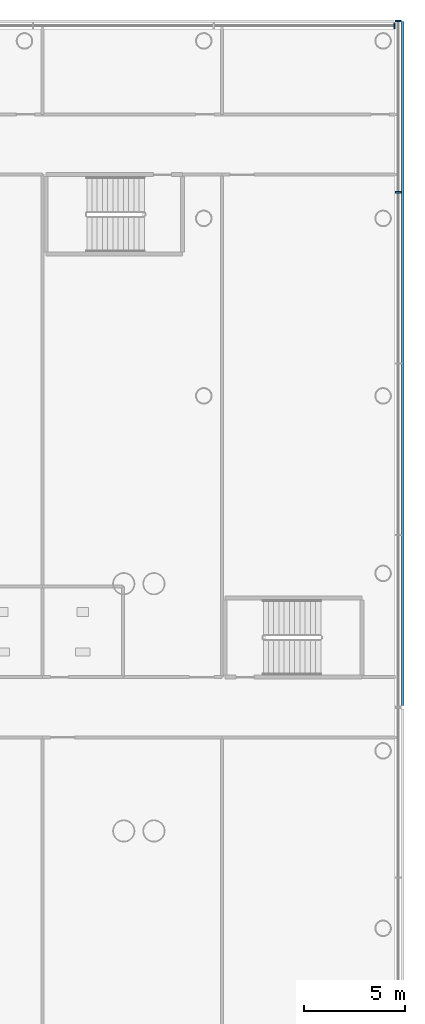
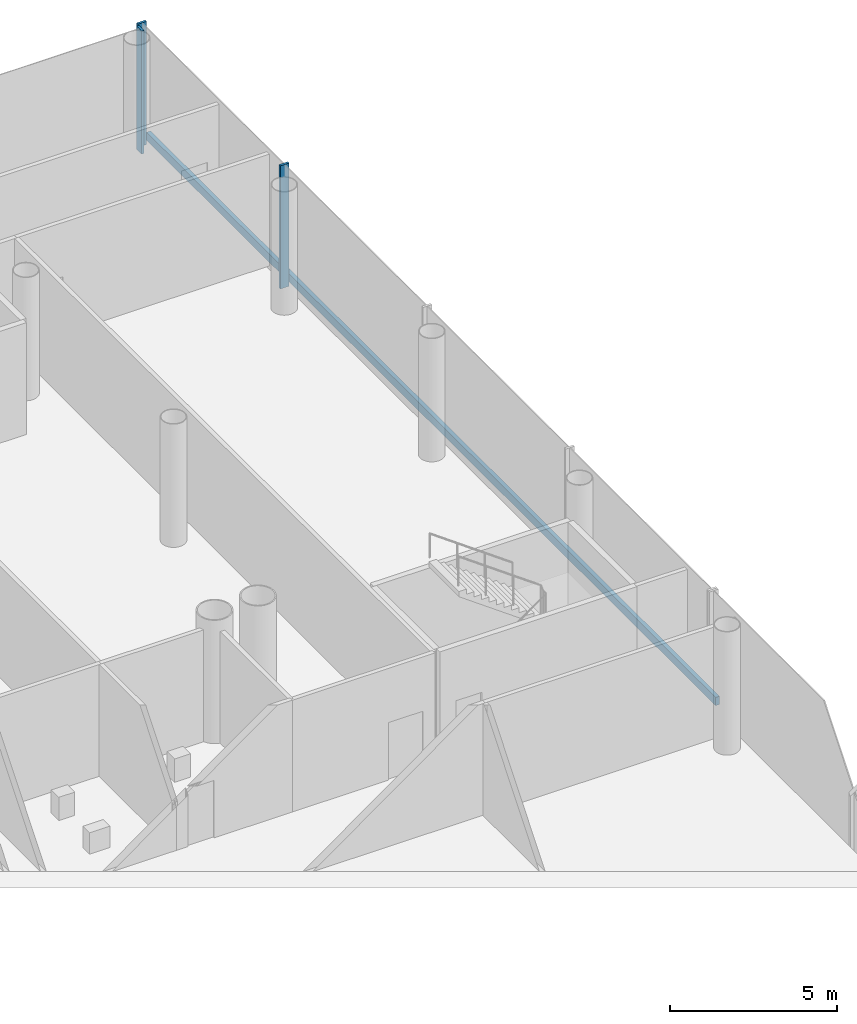
# One storey, part 14 of 51: 4 members, 2 elements without a shape of their own.
"""IFC4 building model written with IfcOpenShell, lengths in metres."""

from ifc_helpers import new_model, si_unit, direction, frame, origin, origin_2d, place, context, subcontext, project, spatial, rectangle, extrude, material, layer, layer_set, material_profile, profile_set, type_object, element, aggregate, save


model = new_model("IFC4")

# Units and contexts
model_context = context("Model", 3, precision=1e-05, world=origin(), true_north=direction((0.0, 1.0)))
body_context = subcontext(model_context, "Body", "Model", "MODEL_VIEW")
ifc_project = project(units=[si_unit("LENGTHUNIT", "METRE"), si_unit("AREAUNIT", "SQUARE_METRE"), si_unit("VOLUMEUNIT", "CUBIC_METRE"), si_unit("PLANEANGLEUNIT", "RADIAN"), si_unit("MASSUNIT", "GRAM", prefix="KILO")], contexts=[model_context])

# Site, building, storey
site_placement = place(None, origin())
site = spatial("IfcSite", under=ifc_project, at=site_placement, CompositionType="ELEMENT")
building_placement = place(site_placement, origin())
building = spatial("IfcBuilding", under=site, at=building_placement, Name="Ipe Terrace Towers", CompositionType="ELEMENT")
storey_placement = place(building_placement, frame((0.0, 0.0, 15.5)))
storey = spatial("IfcBuildingStorey", under=building, at=storey_placement, Name="L03", CompositionType="ELEMENT", Elevation=15.5)

# Curtain wall, members
ifc_material_1 = material(Name="Aluminium alloy 6063-T6", Category="aluminium")
ifc_layer = layer(ifc_material_1, 0.43994140625)
ifc_layer_set = layer_set([ifc_layer], Name="PODIUM GLAZING CURTAIN WALL")
curtain_wall_type = type_object("IfcCurtainWallType", Name="PODIUM GLAZING CURTAIN WALL", PredefinedType="NOTDEFINED", material=ifc_layer_set)
curtain_wall_1_placement = place(storey_placement, origin())
curtain_wall_1 = element("IfcCurtainWall", 1, at=curtain_wall_1_placement, inside=storey, type_object=curtain_wall_type, Name="POD-CW-L03-00b curtain wall", PredefinedType="NOTDEFINED")
ifc_material_2 = material(Name="Aluminium alloy 6063-T6", Category="aluminium")
ifc_material_profile_1 = material_profile(ifc_material_2, rectangle(XDim=0.300048828125, YDim=0.080078125, at=origin_2d()), Name="PODIUM GLAZING MULLION 300 x 80")
ifc_profile_set_1 = profile_set([ifc_material_profile_1], Name="Aluminium alloy 6063-T6")
member_type_1 = type_object("IfcMemberType", Name="PODIUM GLAZING MULLION 300 x 80", PredefinedType="MULLION", material=ifc_profile_set_1)
member_1_placement = place(storey_placement, frame((65.39990234375, 25.62255859375, -0.300048828125), z_axis=(0.0, 0.0, 1.0), x_axis=(1.0, 0.0, 0.0)))
member_1 = element("IfcMember", 2, at=member_1_placement, type_object=member_type_1, Name="POD-CW-L03-00b mullion 4", PredefinedType="MULLION", context=body_context, shape_type="SweptSolid", body=[
    extrude(rectangle(XDim=0.300048828125, YDim=0.080078125, at=origin_2d()), origin(), (0.0, 0.0, 1.0), 4.5),
])
member_2_placement = place(storey_placement, frame((65.39990234375, 34.14990234375, -0.300048828125), z_axis=(0.0, 0.0, 1.0), x_axis=(1.0, 0.0, 0.0)))
member_2 = element("IfcMember", 3, at=member_2_placement, type_object=member_type_1, Name="POD-CW-L03-00b mullion 5", PredefinedType="MULLION", context=body_context, shape_type="SweptSolid", body=[
    extrude(rectangle(XDim=0.300048828125, YDim=0.080078125, at=origin_2d()), origin(), (0.0, 0.0, 1.0), 4.5),
])

# Curtain wall, member
curtain_wall_2_placement = place(storey_placement, origin())
curtain_wall_2 = element("IfcCurtainWall", 4, at=curtain_wall_2_placement, inside=storey, type_object=curtain_wall_type, Name="POD-CW-L03-01a curtain wall", PredefinedType="NOTDEFINED")
member_3_placement = place(storey_placement, frame((65.2099609375, 33.89990234375, -0.300048828125), z_axis=(0.0, 0.0, 1.0), x_axis=(0.0, 1.0, 0.0)))
member_3 = element("IfcMember", 5, at=member_3_placement, type_object=member_type_1, Name="POD-CW-L03-01a mullion 1", PredefinedType="MULLION", context=body_context, shape_type="SweptSolid", body=[
    extrude(rectangle(XDim=0.300048828125, YDim=0.080078125, at=origin_2d()), origin(), (0.0, 0.0, 1.0), 4.5),
])
aggregate(curtain_wall_2, [member_3])

# Member
ifc_material_3 = material(Name="Aluminium alloy 6063-T6", Category="aluminium")
ifc_material_profile_2 = material_profile(ifc_material_3, rectangle(XDim=0.139892578125, YDim=0.300048828125, at=origin_2d()), Name="PODIUM GLAZING TRANSOM 140 x 300")
ifc_profile_set_2 = profile_set([ifc_material_profile_2], Name="Aluminium alloy 6063-T6")
member_type_2 = type_object("IfcMemberType", Name="PODIUM GLAZING TRANSOM 140 x 300", PredefinedType="USERDEFINED", material=ifc_profile_set_2)
member_4_placement = place(storey_placement, frame((65.6201171875, 0.080078125, 0.0), z_axis=(0.0, 1.0, 0.0), x_axis=(1.0, 0.0, 0.0)))
member_4 = element("IfcMember", 6, at=member_4_placement, type_object=member_type_2, Name="POD-CW-L03-00b transom", ObjectType="TRANSOM", PredefinedType="USERDEFINED", context=body_context, shape_type="SweptSolid", body=[
    extrude(rectangle(XDim=0.139892578125, YDim=0.300048828125, at=origin_2d()), origin(), (0.0, 0.0, 1.0), 34.030029296875),
])

aggregate(curtain_wall_1, [member_1, member_2, member_4])

save(model, "model.ifc")
